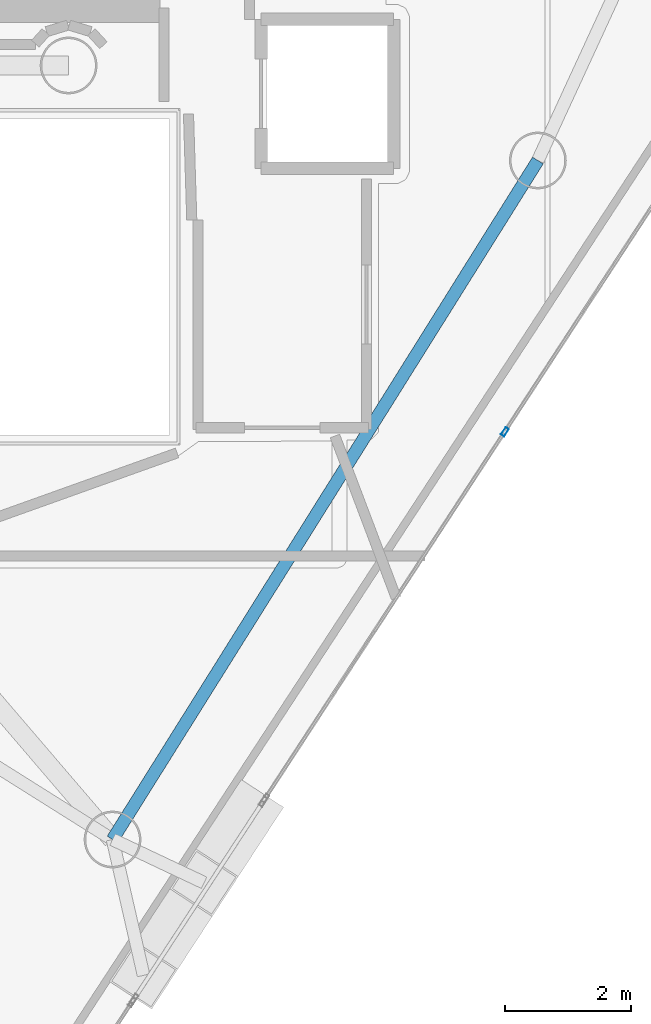
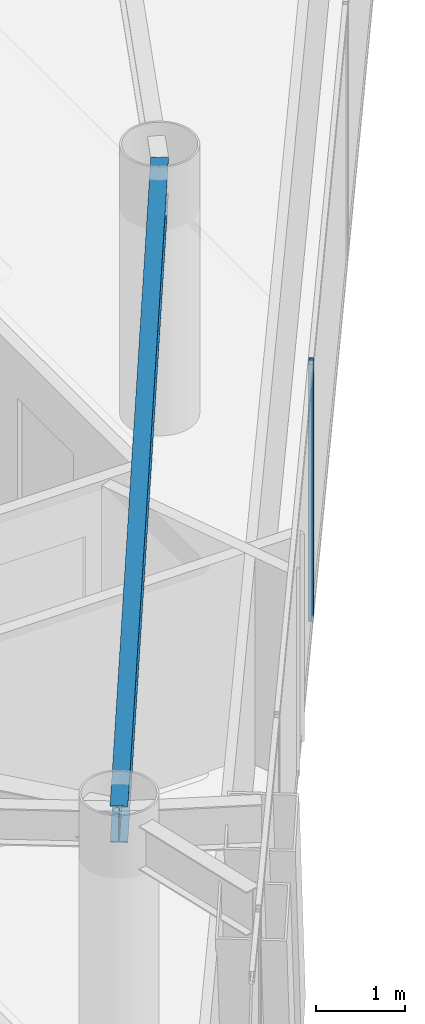
# One storey, part 6 of 25: 1 beam, 1 member, 1 element without a shape of its own.
"""IFC4 building model written with IfcOpenShell, lengths in metres."""

from ifc_helpers import new_model, si_unit, direction, frame, origin, origin_2d, place, context, subcontext, project, spatial, hollow_rectangle, i_section, extrude, material, layer, layer_set, material_profile, profile_set, type_object, element, aggregate, save


model = new_model("IFC4")

# Units and contexts
model_context = context("Model", 3, precision=1e-05, world=origin(), true_north=direction((0.0, 1.0)))
body_context = subcontext(model_context, "Body", "Model", "MODEL_VIEW")
ifc_project = project(units=[si_unit("LENGTHUNIT", "METRE"), si_unit("AREAUNIT", "SQUARE_METRE"), si_unit("VOLUMEUNIT", "CUBIC_METRE"), si_unit("PLANEANGLEUNIT", "RADIAN"), si_unit("MASSUNIT", "GRAM", prefix="KILO")], contexts=[model_context])

# Site, building, storey
site_placement = place(None, origin())
site = spatial("IfcSite", under=ifc_project, at=site_placement, CompositionType="ELEMENT")
building_placement = place(site_placement, origin())
building = spatial("IfcBuilding", under=site, at=building_placement, Name="Qianvela Tower", CompositionType="ELEMENT")
storey_placement = place(building_placement, frame((0.0, 0.0, 291.699951171875)))
storey = spatial("IfcBuildingStorey", under=building, at=storey_placement, Name="L75", CompositionType="ELEMENT", Elevation=291.699951171875)

# Beam
ifc_material_1 = material(Name="Steel Q355B", Category="steel")
ifc_material_profile_1 = material_profile(ifc_material_1, i_section(OverallWidth=0.199951171875, OverallDepth=0.5, WebThickness=0.010009765625, FlangeThickness=0.01611328125, at=origin_2d()), Name="HN500x200x10x16")
ifc_profile_set_1 = profile_set([ifc_material_profile_1], Name="Steel Q355B")
beam_type = type_object("IfcBeamType", Name="BM-HN500-GIRD", PredefinedType="BEAM", material=ifc_profile_set_1)
beam_placement = place(storey_placement, frame((39.095947265625, 11.587890625, 3.26806640625), z_axis=(0.530840654868, 0.847471650935, 0.0), x_axis=(-0.847471650935, 0.530840654868, 0.0)))
element("IfcBeam", 1, at=beam_placement, inside=storey, type_object=beam_type, Name="L75 Perimeter Ring Spandrel Girder 5", PredefinedType="BEAM", context=body_context, shape_type="SweptSolid", body=[
    extrude(i_section(OverallWidth=0.199951171875, OverallDepth=0.5, WebThickness=0.010009765625, FlangeThickness=0.01611328125, at=origin_2d()), origin(), (0.0, 0.0, 1.0), 12.693115234375),
])

# Curtain wall, member
ifc_material_2 = material(Name="Anodised Architectural Aluminium and Low-E Glass", Category="aluminium")
ifc_layer = layer(ifc_material_2, 0.14990234375)
ifc_layer_set = layer_set([ifc_layer], Name="Anodised Architectural Aluminium and Low-E Glass")
curtain_wall_type = type_object("IfcCurtainWallType", Name="CW-COLIV-Z78", PredefinedType="USERDEFINED", material=ifc_layer_set)
curtain_wall_placement = place(storey_placement, origin())
curtain_wall = element("IfcCurtainWall", 2, at=curtain_wall_placement, inside=storey, type_object=curtain_wall_type, Name="L75 CW-COLIV-Z78 Curtain Wall 06C", ObjectType="CURTAIN_WALL_SYSTEM", PredefinedType="USERDEFINED")
ifc_material_3 = material(Name="Anodised Architectural Aluminium 6063-T6", Category="aluminium")
ifc_material_profile_2 = material_profile(ifc_material_3, hollow_rectangle(XDim=0.06005859375, YDim=0.139892578125, WallThickness=0.00439453125, at=origin_2d()), Name="ALU-MULL-60x140")
ifc_profile_set_2 = profile_set([ifc_material_profile_2], Name="Anodised Architectural Aluminium 6063-T6")
member_type = type_object("IfcMemberType", Name="CW-COLIV-Z78-MULL", PredefinedType="MULLION", material=ifc_profile_set_2)
member_placement = place(storey_placement, frame((45.31103515625, 18.046875, 0.0), z_axis=(0.0, 0.0, 1.0), x_axis=(-0.837077998993, 0.547083561809, 0.0)))
member = element("IfcMember", 3, at=member_placement, type_object=member_type, Name="CW-6 mullion 2", PredefinedType="MULLION", context=body_context, shape_type="SweptSolid", body=[
    extrude(hollow_rectangle(XDim=0.06005859375, YDim=0.139892578125, WallThickness=0.00439453125, at=origin_2d()), origin(), (0.0, 0.0, 1.0), 3.52001953125),
])
aggregate(curtain_wall, [member])

save(model, "model.ifc")
